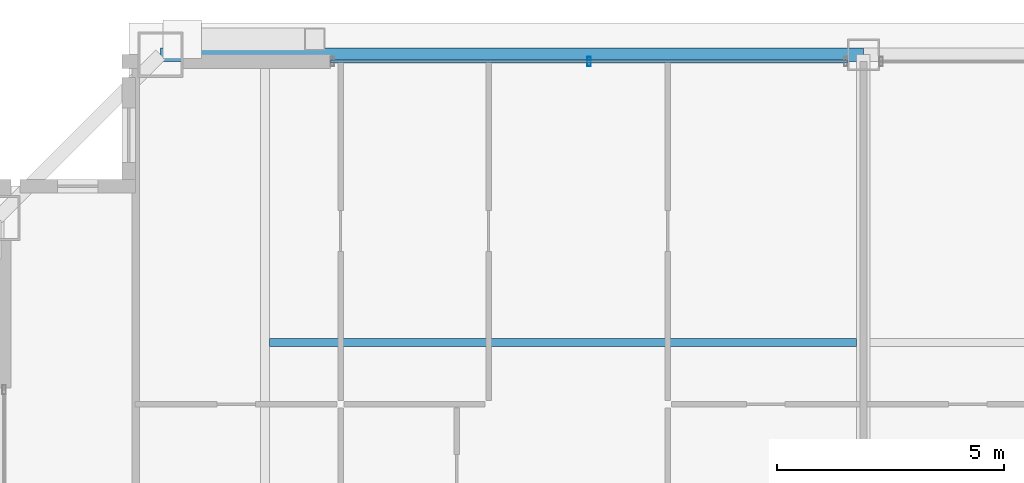
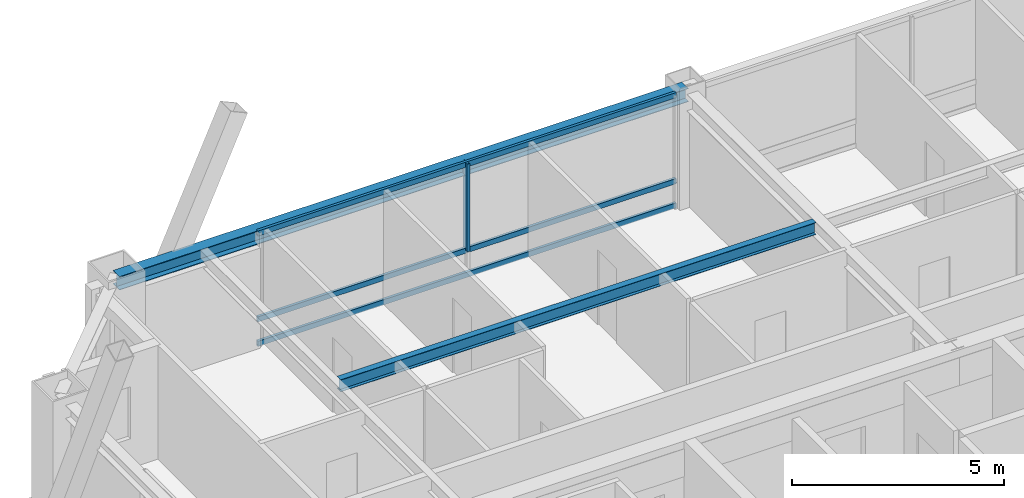
# One storey, part 16 of 35: 4 members, 2 beams, 1 element without a shape of its own.
"""IFC4 building model written with IfcOpenShell, lengths in metres."""

from ifc_helpers import new_model, si_unit, direction, frame, origin, origin_2d, place, context, subcontext, project, spatial, hollow_rectangle, i_section, extrude, source, transform, mapped, material, layer, layer_set, material_profile, profile_set, type_object, element, aggregate, save


model = new_model("IFC4")

# Units and contexts
model_context = context("Model", 3, precision=1e-05, world=origin(), true_north=direction((0.0, 1.0)))
body_context = subcontext(model_context, "Body", "Model", "MODEL_VIEW")
ifc_project = project(units=[si_unit("LENGTHUNIT", "METRE"), si_unit("AREAUNIT", "SQUARE_METRE"), si_unit("VOLUMEUNIT", "CUBIC_METRE"), si_unit("PLANEANGLEUNIT", "RADIAN"), si_unit("MASSUNIT", "GRAM", prefix="KILO"), si_unit("THERMODYNAMICTEMPERATUREUNIT", "KELVIN"), si_unit("POWERUNIT", "WATT")], contexts=[model_context])

# Site, building, storey
site_placement = place(None, origin())
site = spatial("IfcSite", under=ifc_project, at=site_placement, CompositionType="ELEMENT")
building_placement = place(site_placement, origin())
building = spatial("IfcBuilding", under=site, at=building_placement, Name="Yuzanri Waterfront Tower", CompositionType="ELEMENT")
storey_placement = place(building_placement, frame((0.0, 0.0, 299.60009765625)))
storey = spatial("IfcBuildingStorey", under=building, at=storey_placement, Name="L80", CompositionType="ELEMENT", Elevation=299.60009765625)

# Beams
ifc_material_1 = material(Name="Steel Q355B", Category="steel")
ifc_material_profile_1 = material_profile(ifc_material_1, i_section(OverallWidth=0.175048828125, OverallDepth=0.35009765625, WebThickness=0.007080078125, FlangeThickness=0.010986328125, at=origin_2d()), Name="HN 350x175x7x11")
ifc_profile_set_1 = profile_set([ifc_material_profile_1], Name="Steel Q355B")
beam_type_1 = type_object("IfcBeamType", Name="Floor Joist Q355B HN 350x175", PredefinedType="JOIST", material=ifc_profile_set_1)
shared_shape_1 = source(origin(), body_context, "Body", "SweptSolid", [
    extrude(i_section(OverallWidth=0.175048828125, OverallDepth=0.35009765625, WebThickness=0.007080078125, FlangeThickness=0.010986328125, at=origin_2d()), origin(), (0.0, 0.0, 1.0), 12.9501953125),
])
beam_1_placement = place(storey_placement, frame((23.89990234375, 38.550048828125, 3.10498046875), z_axis=(1.0, 0.0, 0.0), x_axis=(0.0, 1.0, 0.0)))
element("IfcBeam", 1, at=beam_1_placement, inside=storey, type_object=beam_type_1, Name="L80 North Bay Joist W", PredefinedType="JOIST", context=body_context, shape_type="MappedRepresentation", body=[
    mapped(shared_shape_1, transform((0.0, 0.0, 0.0), scale=1.0)),
])
ifc_material_2 = material(Name="Steel Q355B", Category="steel")
ifc_material_profile_2 = material_profile(ifc_material_2, i_section(OverallWidth=0.300048828125, OverallDepth=0.389892578125, WebThickness=0.010009765625, FlangeThickness=0.01611328125, at=origin_2d()), Name="HM 390x300x10x16")
ifc_profile_set_2 = profile_set([ifc_material_profile_2], Name="Steel Q355B")
beam_type_2 = type_object("IfcBeamType", Name="Perimeter Spandrel Q355B HM 390x300", PredefinedType="SPANDREL", material=ifc_profile_set_2)
shared_shape_2 = source(origin(), body_context, "Body", "SweptSolid", [
    extrude(i_section(OverallWidth=0.300048828125, OverallDepth=0.389892578125, WebThickness=0.010009765625, FlangeThickness=0.01611328125, at=origin_2d()), origin(), (0.0, 0.0, 1.0), 15.5),
])
beam_2_placement = place(storey_placement, frame((37.0, 44.89990234375, 3.0849609375), z_axis=(-1.0, 0.0, 0.0), x_axis=(0.0, -1.0, 0.0)))
element("IfcBeam", 2, at=beam_2_placement, inside=storey, type_object=beam_type_2, Name="L80 Perimeter Spandrel N2-N1", PredefinedType="SPANDREL", context=body_context, shape_type="MappedRepresentation", body=[
    mapped(shared_shape_2, transform((0.0, 0.0, 0.0), scale=1.0)),
])

# Curtain wall, members
ifc_material_3 = material(Name="Anodized Architectural Bronze", Category="metal")
ifc_layer = layer(ifc_material_3, 0.159912109375)
ifc_layer_set = layer_set([ifc_layer], Name="Anodized Architectural Bronze")
curtain_wall_type = type_object("IfcCurtainWallType", Name="Anodized Bronze High-Rise Penthouse High-Wind Unitized Curtain Wall 6900", PredefinedType="NOTDEFINED", material=ifc_layer_set)
curtain_wall_placement = place(storey_placement, origin())
curtain_wall = element("IfcCurtainWall", 3, at=curtain_wall_placement, inside=storey, type_object=curtain_wall_type, Name="L80 Curtain Wall CW-L80-NL", PredefinedType="NOTDEFINED")
ifc_material_4 = material(Name="Anodized Architectural Bronze", Category="metal")
ifc_material_profile_3 = material_profile(ifc_material_4, hollow_rectangle(XDim=0.074951171875, YDim=0.199951171875, WallThickness=0.00390625, at=origin_2d()), Name="CWM 75x200")
ifc_profile_set_3 = profile_set([ifc_material_profile_3], Name="Anodized Architectural Bronze")
member_type_1 = type_object("IfcMemberType", Name="Anodized Bronze Primary Curtain-Wall Mullion 75x200", PredefinedType="MULLION", material=ifc_profile_set_3)
shared_shape_3 = source(origin(), body_context, "Body", "SweptSolid", [
    extrude(hollow_rectangle(XDim=0.074951171875, YDim=0.199951171875, WallThickness=0.00390625, at=origin_2d()), origin(), (0.0, 0.0, 1.0), 2.52392578125),
])
member_1_placement = place(storey_placement, frame((30.949951171875, 44.75, 0.755859375), z_axis=(0.0, 0.0, 1.0), x_axis=(1.0, 0.0, 0.0)))
member_1 = element("IfcMember", 4, at=member_1_placement, type_object=member_type_1, Name="CW-L80-NL Upper Mullion 01", PredefinedType="MULLION", context=body_context, shape_type="MappedRepresentation", body=[
    mapped(shared_shape_3, transform((0.0, 0.0, 0.0), scale=1.0)),
])
ifc_material_5 = material(Name="Anodized Architectural Bronze", Category="metal")
ifc_material_profile_4 = material_profile(ifc_material_5, hollow_rectangle(XDim=0.074951171875, YDim=0.14990234375, WallThickness=0.00390625, at=origin_2d()), Name="CWT 75x150")
ifc_profile_set_4 = profile_set([ifc_material_profile_4], Name="Anodized Architectural Bronze")
member_type_2 = type_object("IfcMemberType", Name="Anodized Bronze Primary Curtain-Wall Transom 75x150", PredefinedType="USERDEFINED", material=ifc_profile_set_4)
shared_shape_4 = source(origin(), body_context, "Body", "SweptSolid", [
    extrude(hollow_rectangle(XDim=0.074951171875, YDim=0.14990234375, WallThickness=0.00390625, at=origin_2d()), origin(), (0.0, 0.0, 1.0), 11.39990234375),
])
member_2_placement = place(storey_placement, frame((25.25, 44.75, 0.0498046875), z_axis=(1.0, 0.0, 0.0), x_axis=(0.0, 1.0, 0.0)))
member_2 = element("IfcMember", 5, at=member_2_placement, type_object=member_type_2, Name="CW-L80-NL Transom 1", ObjectType="TRANSOM", PredefinedType="USERDEFINED", context=body_context, shape_type="MappedRepresentation", body=[
    mapped(shared_shape_4, transform((0.0, 0.0, 0.0), scale=1.0)),
])
member_3_placement = place(storey_placement, frame((25.25, 44.75, 0.75390625), z_axis=(1.0, 0.0, 0.0), x_axis=(0.0, 1.0, 0.0)))
member_3 = element("IfcMember", 6, at=member_3_placement, type_object=member_type_2, Name="CW-L80-NL Transom 2", ObjectType="TRANSOM", PredefinedType="USERDEFINED", context=body_context, shape_type="MappedRepresentation", body=[
    mapped(shared_shape_4, transform((0.0, 0.0, 0.0), scale=1.0)),
])
member_4_placement = place(storey_placement, frame((25.25, 44.75, 3.22998046875), z_axis=(1.0, 0.0, 0.0), x_axis=(0.0, 1.0, 0.0)))
member_4 = element("IfcMember", 7, at=member_4_placement, type_object=member_type_2, Name="CW-L80-NL Transom 3", ObjectType="TRANSOM", PredefinedType="USERDEFINED", context=body_context, shape_type="MappedRepresentation", body=[
    mapped(shared_shape_4, transform((0.0, 0.0, 0.0), scale=1.0)),
])
aggregate(curtain_wall, [member_1, member_2, member_3, member_4])

save(model, "model.ifc")
